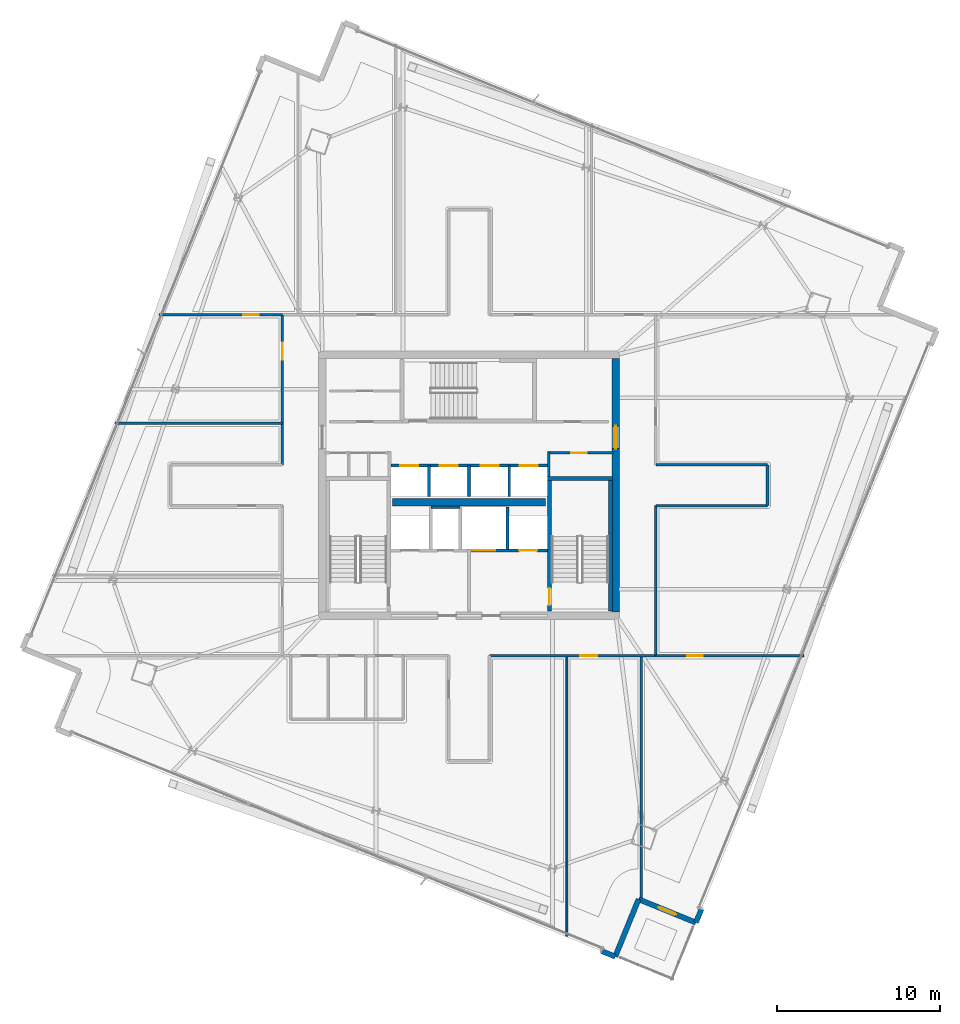
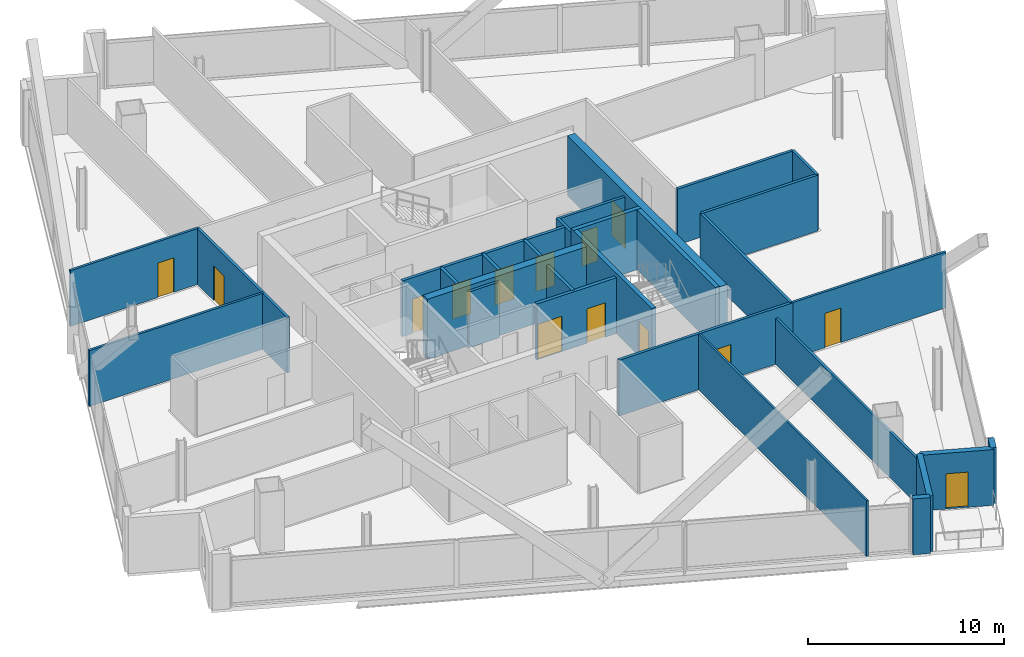
# One storey, part 25 of 31: 29 walls, 14 doors, 14 openings.
"""IFC4 building model written with IfcOpenShell, lengths in metres."""

from ifc_helpers import new_model, si_unit, direction, frame, frame_2d, origin, place, context, subcontext, project, spatial, rectangle, extrude, material, layer, layer_set, type_object, element, fill, save


model = new_model("IFC4")

# Units and contexts
model_context = context("Model", 3, precision=1e-05, world=origin(), true_north=direction((0.0, 1.0)))
body_context = subcontext(model_context, "Body", "Model", "MODEL_VIEW")
ifc_project = project(units=[si_unit("LENGTHUNIT", "METRE"), si_unit("AREAUNIT", "SQUARE_METRE"), si_unit("VOLUMEUNIT", "CUBIC_METRE"), si_unit("PLANEANGLEUNIT", "RADIAN"), si_unit("MASSUNIT", "GRAM", prefix="KILO")], contexts=[model_context])

# Site, building, storey
site_placement = place(None, origin())
site = spatial("IfcSite", under=ifc_project, at=site_placement, CompositionType="ELEMENT")
building_placement = place(site_placement, origin())
building = spatial("IfcBuilding", under=site, at=building_placement, Name="Haldenkirk Collegiate Tower", CompositionType="ELEMENT")
storey_placement = place(building_placement, frame((0.0, 0.0, 256.199951171875)))
storey = spatial("IfcBuildingStorey", under=building, at=storey_placement, Name="L64", CompositionType="ELEMENT", Elevation=256.199951171875)

# Wall, opening, door
ifc_material_1 = material(Name="Concrete f'c 55 MPa", Category="concrete")
ifc_layer_1 = layer(ifc_material_1, 0.449951171875)
ifc_layer_set_1 = layer_set([ifc_layer_1], Name="Concrete f'c 55 MPa")
wall_type_1 = type_object("IfcWallType", Name="WL-CORE-450", PredefinedType="SHEAR", material=ifc_layer_set_1)
wall_1_placement = place(storey_placement, frame((45.0, 18.22509765625, 0.0), z_axis=(0.0, 0.0, 1.0), x_axis=(0.0, 1.0, 0.0)))
wall_1 = element("IfcWall", 1, at=wall_1_placement, inside=storey, type_object=wall_type_1, Name="L64 central core shear wall E", PredefinedType="SHEAR", context=body_context, shape_type="SweptSolid", body=[
    extrude(rectangle(XDim=15.5498046875, YDim=0.449951171875, at=frame_2d((7.77490234375, 0.0))), origin(), (0.0, 0.0, 1.0), 3.75),
])
opening_1_placement = place(wall_1_placement, frame((10.014892578125, 0.0, 0.0)))
opening_1 = element("IfcOpeningElement", 2, at=opening_1_placement, cuts=wall_1, Name="Opening D-03", PredefinedType="OPENING", context=body_context, shape_type="SweptSolid", body=[
    extrude(rectangle(XDim=1.39990234375, YDim=2.199951171875, at=frame_2d((0.699951171875, 1.10009765625))), frame((0.0, 0.23486328125, 0.0), z_axis=(0.0, -1.0, 0.0), x_axis=(1.0, 0.0, 0.0)), (0.0, 0.0, 1.0), 0.469970703125),
])
ifc_material_2 = material(Name="Galvanized fire-rated hollow steel door", Category="steel")
ifc_layer_2 = layer(ifc_material_2, 0.06005859375)
ifc_layer_set_2 = layer_set([ifc_layer_2], Name="Galvanized fire-rated hollow steel door")
door_type_1 = type_object("IfcDoorType", Name="DR-LOBBY-FD90-1400", OperationType="NOTDEFINED", PredefinedType="DOOR", material=ifc_layer_set_2)
door_1_placement = place(opening_1_placement, origin())
door_1 = element("IfcDoor", 3, at=door_1_placement, inside=storey, type_object=door_type_1, Name="L64 east lift lobby portal", OperationType="DOUBLE_DOOR_SINGLE_SWING", OverallHeight=2.199951171875, OverallWidth=1.39990234375, PredefinedType="DOOR", context=body_context, shape_type="SweptSolid", body=[
    extrude(rectangle(XDim=1.39990234375, YDim=2.199951171875, at=frame_2d((0.699951171875, 1.10009765625))), frame((0.0, 0.02490234375, 0.0), z_axis=(0.0, -1.0, 0.0), x_axis=(1.0, 0.0, 0.0)), (0.0, 0.0, 1.0), 0.050048828125),
])
fill(opening_1, door_1)

# Walls
wall_2_placement = place(storey_placement, frame((31.31005859375, 24.949951171875, 0.0), z_axis=(0.0, 0.0, 1.0), x_axis=(1.0, 0.0, 0.0)))
element("IfcWall", 4, at=wall_2_placement, inside=storey, type_object=wall_type_1, Name="L64 central core spine shear wall", PredefinedType="SHEAR", context=body_context, shape_type="SweptSolid", body=[
    extrude(rectangle(XDim=9.3798828125, YDim=0.449951171875, at=frame_2d((4.68994140625, 0.0))), origin(), (0.0, 0.0, 1.0), 3.75),
])
ifc_material_3 = material(Name="Precast concrete f'c 40 MPa", Category="concrete")
ifc_layer_3 = layer(ifc_material_3, 0.320068359375)
ifc_layer_set_3 = layer_set([ifc_layer_3], Name="Precast concrete f'c 40 MPa")
wall_type_2 = type_object("IfcWallType", Name="WL-EXT-TWR-320", PredefinedType="STANDARD", material=ifc_layer_set_3)
for number, where, z_axis, x_axis, name in (
    (5, (50.252197265625, 0.00830078125, 0.0), (0.0, 0.0, 1.0), (-0.377090060843, -0.926176595479, 0.0), "L64 precast corner pier SR"),
    (6, (44.96044921875, -2.912109375, 0.0), (0.0, 0.0, 1.0), (-0.926176595479, 0.377090060843, 0.0), "L64 precast corner pier WL"),
):
    element("IfcWall", number, at=place(storey_placement, frame(where, z_axis=z_axis, x_axis=x_axis)), inside=storey, type_object=wall_type_2, Name=name, PredefinedType="STANDARD", context=body_context, shape_type="SweptSolid", body=[
        extrude(rectangle(XDim=0.89990234375, YDim=0.320068359375, at=frame_2d((0.449951171875, 0.0))), origin(), (0.0, 0.0, 1.0), 3.47998046875),
    ])
wall_3_placement = place(storey_placement, frame((46.393310546875, 0.607421875, 0.0), z_axis=(0.0, 0.0, 1.0), x_axis=(-0.377066266297, -0.926186283002, 0.0)))
element("IfcWall", 7, at=wall_3_placement, inside=storey, type_object=wall_type_2, Name="L64 bronze precast notch wall 11", PredefinedType="STANDARD", context=body_context, shape_type="SweptSolid", body=[
    extrude(rectangle(XDim=3.800048828125, YDim=0.320068359375, at=frame_2d((1.89990234375, 0.0))), origin(), (0.0, 0.0, 1.0), 3.47998046875),
])

# Wall, opening, door
wall_4_placement = place(storey_placement, frame((49.912841796875, -0.8251953125, 0.0), z_axis=(0.0, 0.0, 1.0), x_axis=(-0.926208719154, 0.377011151776, 0.0)))
wall_4 = element("IfcWall", 8, at=wall_4_placement, inside=storey, type_object=wall_type_2, Name="L64 bronze precast notch wall 12", PredefinedType="STANDARD", context=body_context, shape_type="SweptSolid", body=[
    extrude(rectangle(XDim=3.800048828125, YDim=0.320068359375, at=frame_2d((1.89990234375, 0.0))), origin(), (0.0, 0.0, 1.0), 3.47998046875),
])
opening_2_placement = place(wall_4_placement, frame((1.324951171875, 0.0, 0.0)))
opening_2 = element("IfcOpeningElement", 9, at=opening_2_placement, cuts=wall_4, Name="Opening D-ST11", PredefinedType="OPENING", context=body_context, shape_type="SweptSolid", body=[
    extrude(rectangle(XDim=1.14990234375, YDim=2.199951171875, at=frame_2d((0.574951171875, 1.10009765625))), frame((0.0, 0.169921875, 0.0), z_axis=(0.0, -1.0, 0.0), x_axis=(1.0, 0.0, 0.0)), (0.0, 0.0, 1.0), 0.340087890625),
])
ifc_material_4 = material(Name="Anodised architectural bronze aluminium", Category="aluminium")
ifc_layer_4 = layer(ifc_material_4, 0.080078125)
ifc_layer_set_4 = layer_set([ifc_layer_4], Name="Anodised architectural bronze aluminium")
door_type_2 = type_object("IfcDoorType", Name="DR-EXT-STER-1150", OperationType="NOTDEFINED", PredefinedType="DOOR", material=ifc_layer_set_4)
door_2_placement = place(opening_2_placement, origin())
door_2 = element("IfcDoor", 10, at=door_2_placement, inside=storey, type_object=door_type_2, Name="L64 spiralling terrace door", OperationType="SINGLE_SWING_LEFT", OverallHeight=2.199951171875, OverallWidth=1.14990234375, PredefinedType="DOOR", context=body_context, shape_type="SweptSolid", body=[
    extrude(rectangle(XDim=1.14990234375, YDim=2.199951171875, at=frame_2d((0.574951171875, 1.10009765625))), frame((0.0, 0.02490234375, 0.0), z_axis=(0.0, -1.0, 0.0), x_axis=(1.0, 0.0, 0.0)), (0.0, 0.0, 1.0), 0.050048828125),
])
fill(opening_2, door_2)

ifc_material_5 = material(Name="Acoustic fire-rated gypsum partition", Category="concrete")
ifc_layer_5 = layer(ifc_material_5, 0.159912109375)
ifc_layer_set_5 = layer_set([ifc_layer_5], Name="Acoustic fire-rated gypsum partition")
wall_type_3 = type_object("IfcWallType", Name="WL-INT-CORR-160", PredefinedType="PARTITIONING", material=ifc_layer_set_5)
wall_5_placement = place(storey_placement, frame((40.800048828125, 27.97998046875, 0.0), z_axis=(0.0, 0.0, 1.0), x_axis=(1.0, 0.0, 0.0)))
wall_5 = element("IfcWall", 11, at=wall_5_placement, inside=storey, type_object=wall_type_3, Name="L64 interior partition IW-L64-VCSE-N", PredefinedType="PARTITIONING", context=body_context, shape_type="SweptSolid", body=[
    extrude(rectangle(XDim=4.050048828125, YDim=0.159912109375, at=frame_2d((2.02490234375, 0.0))), origin(), (0.0, 0.0, 1.0), 3.47998046875),
])
opening_3_placement = place(wall_5_placement, frame((1.47509765625, 0.0, 0.0)))
opening_3 = element("IfcOpeningElement", 12, at=opening_3_placement, cuts=wall_5, Name="Opening D-10", PredefinedType="OPENING", context=body_context, shape_type="SweptSolid", body=[
    extrude(rectangle(XDim=0.949951171875, YDim=2.14990234375, at=frame_2d((0.47509765625, 1.074951171875))), frame((0.0, 0.08984375, 0.0), z_axis=(0.0, -1.0, 0.0), x_axis=(1.0, 0.0, 0.0)), (0.0, 0.0, 1.0), 0.179931640625),
])
ifc_material_6 = material(Name="Solid-core architectural oak fire door", Category="wood")
ifc_layer_6 = layer(ifc_material_6, 0.06005859375)
ifc_layer_set_6 = layer_set([ifc_layer_6], Name="Solid-core architectural oak fire door")
door_type_3 = type_object("IfcDoorType", Name="DR-INT-FD60-950", OperationType="NOTDEFINED", PredefinedType="DOOR", material=ifc_layer_set_6)
door_3_placement = place(opening_3_placement, origin())
door_3 = element("IfcDoor", 13, at=door_3_placement, inside=storey, type_object=door_type_3, Name="L64 core archive vault door", OperationType="SINGLE_SWING_LEFT", OverallHeight=2.14990234375, OverallWidth=0.949951171875, PredefinedType="DOOR", context=body_context, shape_type="SweptSolid", body=[
    extrude(rectangle(XDim=0.949951171875, YDim=2.14990234375, at=frame_2d((0.47509765625, 1.074951171875))), frame((0.0, 0.02490234375, 0.0), z_axis=(0.0, -1.0, 0.0), x_axis=(1.0, 0.0, 0.0)), (0.0, 0.0, 1.0), 0.050048828125),
])
fill(opening_3, door_3)

# Wall
wall_6_placement = place(storey_placement, frame((40.8798828125, 26.5400390625, 0.0), z_axis=(0.0, 0.0, 1.0), x_axis=(0.0, 1.0, 0.0)))
element("IfcWall", 14, at=wall_6_placement, inside=storey, type_object=wall_type_3, Name="L64 interior partition IW-L64-VCSE-W", PredefinedType="PARTITIONING", context=body_context, shape_type="SweptSolid", body=[
    extrude(rectangle(XDim=1.510009765625, YDim=0.159912109375, at=frame_2d((0.7548828125, 0.0))), origin(), (0.0, 0.0, 1.0), 3.47998046875),
])

# Wall, opening, door
wall_7_placement = place(storey_placement, frame((37.25, 15.550048828125, 0.0), z_axis=(0.0, 0.0, 1.0), x_axis=(1.0, 0.0, 0.0)))
wall_7 = element("IfcWall", 15, at=wall_7_placement, inside=storey, type_object=wall_type_3, Name="L64 interior partition IW-L64-CS2", PredefinedType="PARTITIONING", context=body_context, shape_type="SweptSolid", body=[
    extrude(rectangle(XDim=10.25, YDim=0.159912109375, at=frame_2d((5.125, 0.0))), origin(), (0.0, 0.0, 1.0), 3.47998046875),
])
opening_4_placement = place(wall_7_placement, frame((5.56103515625, 0.0, 0.0)))
opening_4 = element("IfcOpeningElement", 16, at=opening_4_placement, cuts=wall_7, Name="Opening D-09", PredefinedType="OPENING", context=body_context, shape_type="SweptSolid", body=[
    extrude(rectangle(XDim=1.050048828125, YDim=2.14990234375, at=frame_2d((0.52490234375, 1.074951171875))), frame((0.0, 0.08984375, 0.0), z_axis=(0.0, -1.0, 0.0), x_axis=(1.0, 0.0, 0.0)), (0.0, 0.0, 1.0), 0.179931640625),
])
ifc_layer_7 = layer(ifc_material_6, 0.06005859375)
ifc_layer_set_7 = layer_set([ifc_layer_7], Name="Solid-core architectural oak fire door")
door_type_4 = type_object("IfcDoorType", Name="DR-INT-FD60-1050", OperationType="NOTDEFINED", PredefinedType="DOOR", material=ifc_layer_set_7)
door_4_placement = place(opening_4_placement, origin())
door_4 = element("IfcDoor", 17, at=door_4_placement, inside=storey, type_object=door_type_4, Name="L64 Colloquium Conference Room 2 door", OperationType="SINGLE_SWING_LEFT", OverallHeight=2.14990234375, OverallWidth=1.050048828125, PredefinedType="DOOR", context=body_context, shape_type="SweptSolid", body=[
    extrude(rectangle(XDim=1.050048828125, YDim=2.14990234375, at=frame_2d((0.52490234375, 1.074951171875))), frame((0.0, 0.02490234375, 0.0), z_axis=(0.0, -1.0, 0.0), x_axis=(1.0, 0.0, 0.0)), (0.0, 0.0, 1.0), 0.050048828125),
])
fill(opening_4, door_4)

wall_8_placement = place(storey_placement, frame((24.550048828125, 27.25, 0.0), z_axis=(0.0, 0.0, 1.0), x_axis=(0.0, 1.0, 0.0)))
wall_8 = element("IfcWall", 18, at=wall_8_placement, inside=storey, type_object=wall_type_3, Name="L64 interior partition IW-L64-CW2", PredefinedType="PARTITIONING", context=body_context, shape_type="SweptSolid", body=[
    extrude(rectangle(XDim=9.199951171875, YDim=0.159912109375, at=frame_2d((4.60009765625, 0.0))), origin(), (0.0, 0.0, 1.0), 3.47998046875),
])
opening_5_placement = place(wall_8_placement, frame((6.44091796875, 0.0, 0.0)))
opening_5 = element("IfcOpeningElement", 19, at=opening_5_placement, cuts=wall_8, Name="Opening D-09", PredefinedType="OPENING", context=body_context, shape_type="SweptSolid", body=[
    extrude(rectangle(XDim=1.050048828125, YDim=2.14990234375, at=frame_2d((0.52490234375, 1.074951171875))), frame((0.0, 0.08984375, 0.0), z_axis=(0.0, -1.0, 0.0), x_axis=(1.0, 0.0, 0.0)), (0.0, 0.0, 1.0), 0.179931640625),
])
door_5_placement = place(opening_5_placement, origin())
door_5 = element("IfcDoor", 20, at=door_5_placement, inside=storey, type_object=door_type_4, Name="L64 Breakout Conference Room 10 door", OperationType="SINGLE_SWING_LEFT", OverallHeight=2.14990234375, OverallWidth=1.050048828125, PredefinedType="DOOR", context=body_context, shape_type="SweptSolid", body=[
    extrude(rectangle(XDim=1.050048828125, YDim=2.14990234375, at=frame_2d((0.52490234375, 1.074951171875))), frame((0.0, 0.02490234375, 0.0), z_axis=(0.0, -1.0, 0.0), x_axis=(1.0, 0.0, 0.0)), (0.0, 0.0, 1.0), 0.050048828125),
])
fill(opening_5, door_5)

# Walls
wall_9_placement = place(storey_placement, frame((47.449951171875, 15.550048828125, 0.0), z_axis=(0.0, 0.0, 1.0), x_axis=(0.0, 1.0, 0.0)))
element("IfcWall", 21, at=wall_9_placement, inside=storey, type_object=wall_type_3, Name="L64 interior partition IW-L64-CE1", PredefinedType="PARTITIONING", context=body_context, shape_type="SweptSolid", body=[
    extrude(rectangle(XDim=9.199951171875, YDim=0.159912109375, at=frame_2d((4.60009765625, 0.0))), origin(), (0.0, 0.0, 1.0), 3.47998046875),
])
for number, where, z_axis, x_axis, name in (
    (22, (47.449951171875, 24.75, 0.0), (0.0, 0.0, 1.0), (1.0, 0.0, 0.0), "L64 interior partition IW-L64-EPS"),
    (23, (47.449951171875, 27.25, 0.0), (0.0, 0.0, 1.0), (1.0, 0.0, 0.0), "L64 interior partition IW-L64-EPN"),
):
    element("IfcWall", number, at=place(storey_placement, frame(where, z_axis=z_axis, x_axis=x_axis)), inside=storey, type_object=wall_type_3, Name=name, PredefinedType="PARTITIONING", context=body_context, shape_type="SweptSolid", body=[
        extrude(rectangle(XDim=6.85009765625, YDim=0.159912109375, at=frame_2d((3.425048828125, 0.0))), origin(), (0.0, 0.0, 1.0), 3.47998046875),
    ])
wall_10_placement = place(storey_placement, frame((54.300048828125, 24.75, 0.0), z_axis=(0.0, 0.0, 1.0), x_axis=(0.0, 1.0, 0.0)))
element("IfcWall", 24, at=wall_10_placement, inside=storey, type_object=wall_type_3, Name="L64 interior partition IW-L64-EPE", PredefinedType="PARTITIONING", context=body_context, shape_type="SweptSolid", body=[
    extrude(rectangle(XDim=2.5, YDim=0.159912109375, at=frame_2d((1.25, 0.0))), origin(), (0.0, 0.0, 1.0), 3.47998046875),
])

# Wall, opening, door
ifc_layer_8 = layer(ifc_material_5, 0.139892578125)
ifc_layer_set_8 = layer_set([ifc_layer_8], Name="Acoustic fire-rated gypsum partition")
wall_type_4 = type_object("IfcWallType", Name="WL-INT-DIV-140", PredefinedType="PARTITIONING", material=ifc_layer_set_8)
wall_11_placement = place(storey_placement, frame((16.97607421875, 36.449951171875, 0.0), z_axis=(0.0, 0.0, 1.0), x_axis=(1.0, 0.0, 0.0)))
wall_11 = element("IfcWall", 25, at=wall_11_placement, inside=storey, type_object=wall_type_4, Name="L64 interior partition IW-L64-BWN", PredefinedType="PARTITIONING", context=body_context, shape_type="SweptSolid", body=[
    extrude(rectangle(XDim=7.573974609375, YDim=0.139892578125, at=frame_2d((3.787109375, 0.0))), origin(), (0.0, 0.0, 1.0), 3.47998046875),
])
opening_6_placement = place(wall_11_placement, frame((5.16796875, 0.0, 0.0)))
opening_6 = element("IfcOpeningElement", 26, at=opening_6_placement, cuts=wall_11, Name="Opening D-12", PredefinedType="OPENING", context=body_context, shape_type="SweptSolid", body=[
    extrude(rectangle(XDim=0.949951171875, YDim=2.14990234375, at=frame_2d((0.47509765625, 1.074951171875))), frame((0.0, 0.079833984375, 0.0), z_axis=(0.0, -1.0, 0.0), x_axis=(1.0, 0.0, 0.0)), (0.0, 0.0, 1.0), 0.159912109375),
])
ifc_layer_9 = layer(ifc_material_6, 0.06005859375)
ifc_layer_set_9 = layer_set([ifc_layer_9], Name="Solid-core architectural oak fire door")
door_type_5 = type_object("IfcDoorType", Name="DR-INT-STD-950", OperationType="NOTDEFINED", PredefinedType="DOOR", material=ifc_layer_set_9)
door_6_placement = place(opening_6_placement, origin())
door_6 = element("IfcDoor", 27, at=door_6_placement, inside=storey, type_object=door_type_5, Name="L64 Breakout Conference Room 4 door", OperationType="SINGLE_SWING_LEFT", OverallHeight=2.14990234375, OverallWidth=0.949951171875, PredefinedType="DOOR", context=body_context, shape_type="SweptSolid", body=[
    extrude(rectangle(XDim=0.949951171875, YDim=2.14990234375, at=frame_2d((0.47509765625, 1.074951171875))), frame((0.0, 0.02490234375, 0.0), z_axis=(0.0, -1.0, 0.0), x_axis=(1.0, 0.0, 0.0)), (0.0, 0.0, 1.0), 0.050048828125),
])
fill(opening_6, door_6)

wall_12_placement = place(storey_placement, frame((47.449951171875, 15.550048828125, 0.0), z_axis=(0.0, 0.0, 1.0), x_axis=(1.0, 0.0, 0.0)))
wall_12 = element("IfcWall", 28, at=wall_12_placement, inside=storey, type_object=wall_type_4, Name="L64 interior partition IW-L64-BES", PredefinedType="PARTITIONING", context=body_context, shape_type="SweptSolid", body=[
    extrude(rectangle(XDim=9.08544921875, YDim=0.139892578125, at=frame_2d((4.542724609375, 0.0))), origin(), (0.0, 0.0, 1.0), 3.47998046875),
])
opening_7_placement = place(wall_12_placement, frame((1.93994140625, 0.0, 0.0)))
opening_7 = element("IfcOpeningElement", 29, at=opening_7_placement, cuts=wall_12, Name="Opening D-12", PredefinedType="OPENING", context=body_context, shape_type="SweptSolid", body=[
    extrude(rectangle(XDim=0.949951171875, YDim=2.14990234375, at=frame_2d((0.47509765625, 1.074951171875))), frame((0.0, 0.079833984375, 0.0), z_axis=(0.0, -1.0, 0.0), x_axis=(1.0, 0.0, 0.0)), (0.0, 0.0, 1.0), 0.159912109375),
])
door_7_placement = place(opening_7_placement, origin())
door_7 = element("IfcDoor", 30, at=door_7_placement, inside=storey, type_object=door_type_5, Name="L64 Tutorial Seminar Room 3 door", OperationType="SINGLE_SWING_RIGHT", OverallHeight=2.14990234375, OverallWidth=0.949951171875, PredefinedType="DOOR", context=body_context, shape_type="SweptSolid", body=[
    extrude(rectangle(XDim=0.949951171875, YDim=2.14990234375, at=frame_2d((0.47509765625, 1.074951171875))), frame((0.0, 0.02490234375, 0.0), z_axis=(0.0, -1.0, 0.0), x_axis=(1.0, 0.0, 0.0)), (0.0, 0.0, 1.0), 0.050048828125),
])
fill(opening_7, door_7)

# Walls
wall_13_placement = place(storey_placement, frame((46.550048828125, 0.5869140625, 0.0), z_axis=(0.0, 0.0, 1.0), x_axis=(0.0, 1.0, 0.0)))
element("IfcWall", 31, at=wall_13_placement, inside=storey, type_object=wall_type_4, Name="L64 interior partition IW-L64-RS2", PredefinedType="PARTITIONING", context=body_context, shape_type="SweptSolid", body=[
    extrude(rectangle(XDim=14.963134765625, YDim=0.139892578125, at=frame_2d((7.4814453125, 0.0))), origin(), (0.0, 0.0, 1.0), 2.858154296875),
])
wall_14_placement = place(storey_placement, frame((14.268798828125, 29.800048828125, 0.0), z_axis=(0.0, 0.0, 1.0), x_axis=(1.0, 0.0, 0.0)))
element("IfcWall", 32, at=wall_14_placement, inside=storey, type_object=wall_type_4, Name="L64 interior partition IW-L64-RW2", PredefinedType="PARTITIONING", context=body_context, shape_type="SweptSolid", body=[
    extrude(rectangle(XDim=10.28125, YDim=0.139892578125, at=frame_2d((5.140625, 0.0))), origin(), (0.0, 0.0, 1.0), 3.47998046875),
])
ifc_material_7 = material(Name="Fire-rated gypsum shaftboard assembly", Category="concrete")
ifc_layer_10 = layer(ifc_material_7, 0.179931640625)
ifc_layer_set_10 = layer_set([ifc_layer_10], Name="Fire-rated gypsum shaftboard assembly")
wall_type_5 = type_object("IfcWallType", Name="WL-INT-SHAFT-180", PredefinedType="PARTITIONING", material=ifc_layer_set_10)
wall_15_placement = place(storey_placement, frame((33.64990234375, 24.64990234375, 0.0), z_axis=(0.0, 0.0, 1.0), x_axis=(1.0, 0.0, 0.0)))
element("IfcWall", 33, at=wall_15_placement, inside=storey, type_object=wall_type_5, Name="L64 interior partition IW-L64-RSRN", PredefinedType="PARTITIONING", context=body_context, shape_type="SweptSolid", body=[
    extrude(rectangle(XDim=1.800048828125, YDim=0.179931640625, at=frame_2d((0.89990234375, 0.0))), origin(), (0.0, 0.0, 1.0), 3.47998046875),
])
wall_16_placement = place(storey_placement, frame((38.35009765625, 22.050048828125, 0.0), z_axis=(0.0, 0.0, 1.0), x_axis=(0.0, 1.0, 0.0)))
element("IfcWall", 34, at=wall_16_placement, inside=storey, type_object=wall_type_5, Name="L64 interior partition IW-L64-GL1E", PredefinedType="PARTITIONING", context=body_context, shape_type="SweptSolid", body=[
    extrude(rectangle(XDim=2.599853515625, YDim=0.179931640625, at=frame_2d((1.2998046875, 0.0))), origin(), (0.0, 0.0, 1.0), 3.47998046875),
])

# Wall, openings, doors
wall_17_placement = place(storey_placement, frame((31.199951171875, 27.199951171875, 0.0), z_axis=(0.0, 0.0, 1.0), x_axis=(1.0, 0.0, 0.0)))
wall_17 = element("IfcWall", 35, at=wall_17_placement, inside=storey, type_object=wall_type_5, Name="L64 interior partition IW-L64-PHN", PredefinedType="PARTITIONING", context=body_context, shape_type="SweptSolid", body=[
    extrude(rectangle(XDim=9.60009765625, YDim=0.179931640625, at=frame_2d((4.800048828125, 0.0))), origin(), (0.0, 0.0, 1.0), 3.47998046875),
])
opening_8_placement = place(wall_17_placement, frame((0.590087890625, 0.0, 0.0)))
opening_8 = element("IfcOpeningElement", 36, at=opening_8_placement, cuts=wall_17, Name="Opening LD-11", PredefinedType="OPENING", context=body_context, shape_type="SweptSolid", body=[
    extrude(rectangle(XDim=1.10009765625, YDim=2.14990234375, at=frame_2d((0.550048828125, 1.074951171875))), frame((0.0, 0.099853515625, 0.0), z_axis=(0.0, -1.0, 0.0), x_axis=(1.0, 0.0, 0.0)), (0.0, 0.0, 1.0), 0.199951171875),
])
opening_9_placement = place(wall_17_placement, frame((2.989990234375, 0.0, 0.0)))
opening_9 = element("IfcOpeningElement", 37, at=opening_9_placement, cuts=wall_17, Name="Opening LD-11", PredefinedType="OPENING", context=body_context, shape_type="SweptSolid", body=[
    extrude(rectangle(XDim=1.10009765625, YDim=2.14990234375, at=frame_2d((0.550048828125, 1.074951171875))), frame((0.0, 0.099853515625, 0.0), z_axis=(0.0, -1.0, 0.0), x_axis=(1.0, 0.0, 0.0)), (0.0, 0.0, 1.0), 0.199951171875),
])
opening_10_placement = place(wall_17_placement, frame((5.510009765625, 0.0, 0.0)))
opening_10 = element("IfcOpeningElement", 38, at=opening_10_placement, cuts=wall_17, Name="Opening LD-11", PredefinedType="OPENING", context=body_context, shape_type="SweptSolid", body=[
    extrude(rectangle(XDim=1.10009765625, YDim=2.14990234375, at=frame_2d((0.550048828125, 1.074951171875))), frame((0.0, 0.099853515625, 0.0), z_axis=(0.0, -1.0, 0.0), x_axis=(1.0, 0.0, 0.0)), (0.0, 0.0, 1.0), 0.199951171875),
])
opening_11_placement = place(wall_17_placement, frame((7.909912109375, 0.0, 0.0)))
opening_11 = element("IfcOpeningElement", 39, at=opening_11_placement, cuts=wall_17, Name="Opening LD-11", PredefinedType="OPENING", context=body_context, shape_type="SweptSolid", body=[
    extrude(rectangle(XDim=1.10009765625, YDim=2.14990234375, at=frame_2d((0.550048828125, 1.074951171875))), frame((0.0, 0.099853515625, 0.0), z_axis=(0.0, -1.0, 0.0), x_axis=(1.0, 0.0, 0.0)), (0.0, 0.0, 1.0), 0.199951171875),
])
ifc_material_8 = material(Name="Brushed architectural stainless steel", Category="steel")
ifc_layer_11 = layer(ifc_material_8, 0.06005859375)
ifc_layer_set_11 = layer_set([ifc_layer_11], Name="Brushed architectural stainless steel")
door_type_6 = type_object("IfcDoorType", Name="LD-PASS-1100", OperationType="NOTDEFINED", PredefinedType="DOOR", material=ifc_layer_set_11)
door_8_placement = place(opening_8_placement, origin())
door_8 = element("IfcDoor", 40, at=door_8_placement, inside=storey, type_object=door_type_6, Name="L64 Elevator PH1 sliding landing door", OperationType="SLIDING_TO_LEFT", OverallHeight=2.14990234375, OverallWidth=1.10009765625, PredefinedType="DOOR", context=body_context, shape_type="SweptSolid", body=[
    extrude(rectangle(XDim=1.10009765625, YDim=2.14990234375, at=frame_2d((0.550048828125, 1.074951171875))), frame((0.0, 0.02490234375, 0.0), z_axis=(0.0, -1.0, 0.0), x_axis=(1.0, 0.0, 0.0)), (0.0, 0.0, 1.0), 0.050048828125),
])
fill(opening_8, door_8)
door_9_placement = place(opening_9_placement, origin())
door_9 = element("IfcDoor", 41, at=door_9_placement, inside=storey, type_object=door_type_6, Name="L64 Elevator PH2 sliding landing door", OperationType="SLIDING_TO_LEFT", OverallHeight=2.14990234375, OverallWidth=1.10009765625, PredefinedType="DOOR", context=body_context, shape_type="SweptSolid", body=[
    extrude(rectangle(XDim=1.10009765625, YDim=2.14990234375, at=frame_2d((0.550048828125, 1.074951171875))), frame((0.0, 0.02490234375, 0.0), z_axis=(0.0, -1.0, 0.0), x_axis=(1.0, 0.0, 0.0)), (0.0, 0.0, 1.0), 0.050048828125),
])
fill(opening_9, door_9)
door_10_placement = place(opening_10_placement, origin())
door_10 = element("IfcDoor", 42, at=door_10_placement, inside=storey, type_object=door_type_6, Name="L64 Elevator PH3 sliding landing door", OperationType="SLIDING_TO_LEFT", OverallHeight=2.14990234375, OverallWidth=1.10009765625, PredefinedType="DOOR", context=body_context, shape_type="SweptSolid", body=[
    extrude(rectangle(XDim=1.10009765625, YDim=2.14990234375, at=frame_2d((0.550048828125, 1.074951171875))), frame((0.0, 0.02490234375, 0.0), z_axis=(0.0, -1.0, 0.0), x_axis=(1.0, 0.0, 0.0)), (0.0, 0.0, 1.0), 0.050048828125),
])
fill(opening_10, door_10)
door_11_placement = place(opening_11_placement, origin())
door_11 = element("IfcDoor", 43, at=door_11_placement, inside=storey, type_object=door_type_6, Name="L64 Elevator PH4 sliding landing door", OperationType="SLIDING_TO_LEFT", OverallHeight=2.14990234375, OverallWidth=1.10009765625, PredefinedType="DOOR", context=body_context, shape_type="SweptSolid", body=[
    extrude(rectangle(XDim=1.10009765625, YDim=2.14990234375, at=frame_2d((0.550048828125, 1.074951171875))), frame((0.0, 0.02490234375, 0.0), z_axis=(0.0, -1.0, 0.0), x_axis=(1.0, 0.0, 0.0)), (0.0, 0.0, 1.0), 0.050048828125),
])
fill(opening_11, door_11)

# Walls
for number, where, z_axis, x_axis, name in (
    (44, (33.5400390625, 25.300048828125, 0.0), (0.0, 0.0, 1.0), (0.0, 1.0, 0.0), "L64 interior partition IW-L64-PHV1"),
    (45, (36.0, 25.300048828125, 0.0), (0.0, 0.0, 1.0), (0.0, 1.0, 0.0), "L64 interior partition IW-L64-PHV2"),
    (46, (38.4599609375, 25.300048828125, 0.0), (0.0, 0.0, 1.0), (0.0, 1.0, 0.0), "L64 interior partition IW-L64-PHV3"),
):
    element("IfcWall", number, at=place(storey_placement, frame(where, z_axis=z_axis, x_axis=x_axis)), inside=storey, type_object=wall_type_5, Name=name, PredefinedType="PARTITIONING", context=body_context, shape_type="SweptSolid", body=[
        extrude(rectangle(XDim=1.89990234375, YDim=0.179931640625, at=frame_2d((0.949951171875, 0.0))), origin(), (0.0, 0.0, 1.0), 3.47998046875),
    ])

# Wall, openings, doors
ifc_layer_12 = layer(ifc_material_7, 0.199951171875)
ifc_layer_set_12 = layer_set([ifc_layer_12], Name="Fire-rated gypsum shaftboard assembly")
wall_type_6 = type_object("IfcWallType", Name="WL-INT-SHAFT-200", PredefinedType="PARTITIONING", material=ifc_layer_set_12)
wall_18_placement = place(storey_placement, frame((36.1201171875, 22.0, 0.0), z_axis=(0.0, 0.0, 1.0), x_axis=(1.0, 0.0, 0.0)))
wall_18 = element("IfcWall", 47, at=wall_18_placement, inside=storey, type_object=wall_type_6, Name="L64 interior partition IW-L64-FFL2N", PredefinedType="PARTITIONING", context=body_context, shape_type="SweptSolid", body=[
    extrude(rectangle(XDim=4.68994140625, YDim=0.199951171875, at=frame_2d((2.344970703125, 0.0))), origin(), (0.0, 0.0, 1.0), 3.47998046875),
])
opening_12_placement = place(wall_18_placement, frame((2.955078125, 0.0, 0.0)))
opening_12 = element("IfcOpeningElement", 48, at=opening_12_placement, cuts=wall_18, Name="Opening LD-12", PredefinedType="OPENING", context=body_context, shape_type="SweptSolid", body=[
    extrude(rectangle(XDim=1.10009765625, YDim=2.14990234375, at=frame_2d((0.550048828125, 1.074951171875))), frame((0.0, 0.10986328125, 0.0), z_axis=(0.0, -1.0, 0.0), x_axis=(1.0, 0.0, 0.0)), (0.0, 0.0, 1.0), 0.219970703125),
])
opening_13_placement = place(wall_18_placement, frame((0.080078125, 0.0, 0.0)))
opening_13 = element("IfcOpeningElement", 49, at=opening_13_placement, cuts=wall_18, Name="Opening LD-13", PredefinedType="OPENING", context=body_context, shape_type="SweptSolid", body=[
    extrude(rectangle(XDim=1.39990234375, YDim=2.199951171875, at=frame_2d((0.699951171875, 1.10009765625))), frame((0.0, 0.10986328125, 0.0), z_axis=(0.0, -1.0, 0.0), x_axis=(1.0, 0.0, 0.0)), (0.0, 0.0, 1.0), 0.219970703125),
])
ifc_layer_13 = layer(ifc_material_8, 0.06005859375)
ifc_layer_set_13 = layer_set([ifc_layer_13], Name="Brushed architectural stainless steel")
door_type_7 = type_object("IfcDoorType", Name="LD-FIRE-1100", OperationType="NOTDEFINED", PredefinedType="DOOR", material=ifc_layer_set_13)
door_12_placement = place(opening_12_placement, origin())
door_12 = element("IfcDoor", 50, at=door_12_placement, inside=storey, type_object=door_type_7, Name="L64 Elevator FL2 sliding landing door", OperationType="SLIDING_TO_LEFT", OverallHeight=2.14990234375, OverallWidth=1.10009765625, PredefinedType="DOOR", context=body_context, shape_type="SweptSolid", body=[
    extrude(rectangle(XDim=1.10009765625, YDim=2.14990234375, at=frame_2d((0.550048828125, 1.074951171875))), frame((0.0, 0.02490234375, 0.0), z_axis=(0.0, -1.0, 0.0), x_axis=(1.0, 0.0, 0.0)), (0.0, 0.0, 1.0), 0.050048828125),
])
fill(opening_12, door_12)
ifc_layer_14 = layer(ifc_material_8, 0.06005859375)
ifc_layer_set_14 = layer_set([ifc_layer_14], Name="Brushed architectural stainless steel")
door_type_8 = type_object("IfcDoorType", Name="LD-GOODS-1400", OperationType="NOTDEFINED", PredefinedType="DOOR", material=ifc_layer_set_14)
door_13_placement = place(opening_13_placement, origin())
door_13 = element("IfcDoor", 51, at=door_13_placement, inside=storey, type_object=door_type_8, Name="L64 Elevator GL1 sliding landing door", OperationType="SLIDING_TO_LEFT", OverallHeight=2.199951171875, OverallWidth=1.39990234375, PredefinedType="DOOR", context=body_context, shape_type="SweptSolid", body=[
    extrude(rectangle(XDim=1.39990234375, YDim=2.199951171875, at=frame_2d((0.699951171875, 1.10009765625))), frame((0.0, 0.02490234375, 0.0), z_axis=(0.0, -1.0, 0.0), x_axis=(1.0, 0.0, 0.0)), (0.0, 0.0, 1.0), 0.050048828125),
])
fill(opening_13, door_13)

# Wall
ifc_layer_15 = layer(ifc_material_5, 0.1201171875)
ifc_layer_set_15 = layer_set([ifc_layer_15], Name="Acoustic fire-rated gypsum partition")
wall_type_7 = type_object("IfcWallType", Name="WL-INT-WET-120", PredefinedType="PARTITIONING", material=ifc_layer_set_15)
wall_19_placement = place(storey_placement, frame((42.0, -1.663818359375, 0.0), z_axis=(0.0, 0.0, 1.0), x_axis=(0.0, 1.0, 0.0)))
element("IfcWall", 52, at=wall_19_placement, inside=storey, type_object=wall_type_7, Name="L64 interior partition IW-L64-RS1", PredefinedType="PARTITIONING", context=body_context, shape_type="SweptSolid", body=[
    extrude(rectangle(XDim=17.2138671875, YDim=0.1201171875, at=frame_2d((8.60693359375, 0.0))), origin(), (0.0, 0.0, 1.0), 3.47998046875),
])

# Wall, opening, door
ifc_layer_16 = layer(ifc_material_1, 0.239990234375)
ifc_layer_set_16 = layer_set([ifc_layer_16], Name="Concrete f'c 55 MPa")
wall_type_8 = type_object("IfcWallType", Name="WL-SHAFT-240", PredefinedType="SHEAR", material=ifc_layer_set_16)
wall_20_placement = place(storey_placement, frame((40.929931640625, 18.280029296875, 0.0), z_axis=(0.0, 0.0, 1.0), x_axis=(0.0, 1.0, 0.0)))
wall_20 = element("IfcWall", 53, at=wall_20_placement, inside=storey, type_object=wall_type_8, Name="L64 stair shaft shear wall SW-L64-ST2W", PredefinedType="SHEAR", context=body_context, shape_type="SweptSolid", body=[
    extrude(rectangle(XDim=8.260009765625, YDim=0.239990234375, at=frame_2d((4.1298828125, 0.0))), origin(), (0.0, 0.0, 1.0), 3.75),
])
opening_14_placement = place(wall_20_placement, frame((0.364990234375, 0.0, 0.0)))
opening_14 = element("IfcOpeningElement", 54, at=opening_14_placement, cuts=wall_20, Name="Opening D-01", PredefinedType="OPENING", context=body_context, shape_type="SweptSolid", body=[
    extrude(rectangle(XDim=1.050048828125, YDim=2.14990234375, at=frame_2d((0.52490234375, 1.074951171875))), frame((0.0, 0.1298828125, 0.0), z_axis=(0.0, -1.0, 0.0), x_axis=(1.0, 0.0, 0.0)), (0.0, 0.0, 1.0), 0.260009765625),
])
ifc_layer_17 = layer(ifc_material_2, 0.06005859375)
ifc_layer_set_17 = layer_set([ifc_layer_17], Name="Galvanized fire-rated hollow steel door")
door_type_9 = type_object("IfcDoorType", Name="DR-STAIR-FD90-1050", OperationType="NOTDEFINED", PredefinedType="DOOR", material=ifc_layer_set_17)
door_14_placement = place(opening_14_placement, origin())
door_14 = element("IfcDoor", 55, at=door_14_placement, inside=storey, type_object=door_type_9, Name="L64 Stair 2 door", OperationType="SINGLE_SWING_RIGHT", OverallHeight=2.14990234375, OverallWidth=1.050048828125, PredefinedType="DOOR", context=body_context, shape_type="SweptSolid", body=[
    extrude(rectangle(XDim=1.050048828125, YDim=2.14990234375, at=frame_2d((0.52490234375, 1.074951171875))), frame((0.0, 0.02490234375, 0.0), z_axis=(0.0, -1.0, 0.0), x_axis=(1.0, 0.0, 0.0)), (0.0, 0.0, 1.0), 0.050048828125),
])
fill(opening_14, door_14)

# Walls
wall_21_placement = place(storey_placement, frame((40.81005859375, 26.419921875, 0.0), z_axis=(0.0, 0.0, 1.0), x_axis=(1.0, 0.0, 0.0)))
element("IfcWall", 56, at=wall_21_placement, inside=storey, type_object=wall_type_8, Name="L64 stair shaft shear wall SW-L64-ST2N", PredefinedType="SHEAR", context=body_context, shape_type="SweptSolid", body=[
    extrude(rectangle(XDim=3.97998046875, YDim=0.239990234375, at=frame_2d((1.989990234375, 0.0))), origin(), (0.0, 0.0, 1.0), 3.75),
])
wall_22_placement = place(storey_placement, frame((44.669921875, 18.280029296875, 0.0), z_axis=(0.0, 0.0, 1.0), x_axis=(0.0, 1.0, 0.0)))
element("IfcWall", 57, at=wall_22_placement, inside=storey, type_object=wall_type_8, Name="L64 stair shaft shear wall SW-L64-ST2E", PredefinedType="SHEAR", context=body_context, shape_type="SweptSolid", body=[
    extrude(rectangle(XDim=8.260009765625, YDim=0.239990234375, at=frame_2d((4.1298828125, 0.0))), origin(), (0.0, 0.0, 1.0), 3.75),
])

save(model, "model.ifc")
